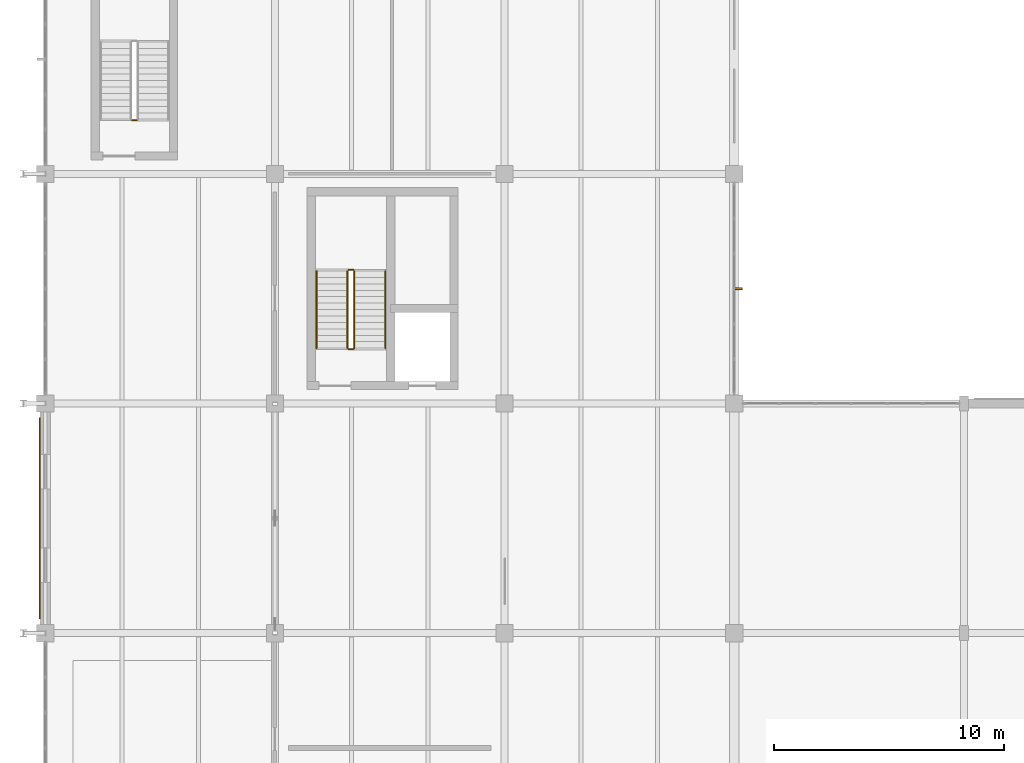
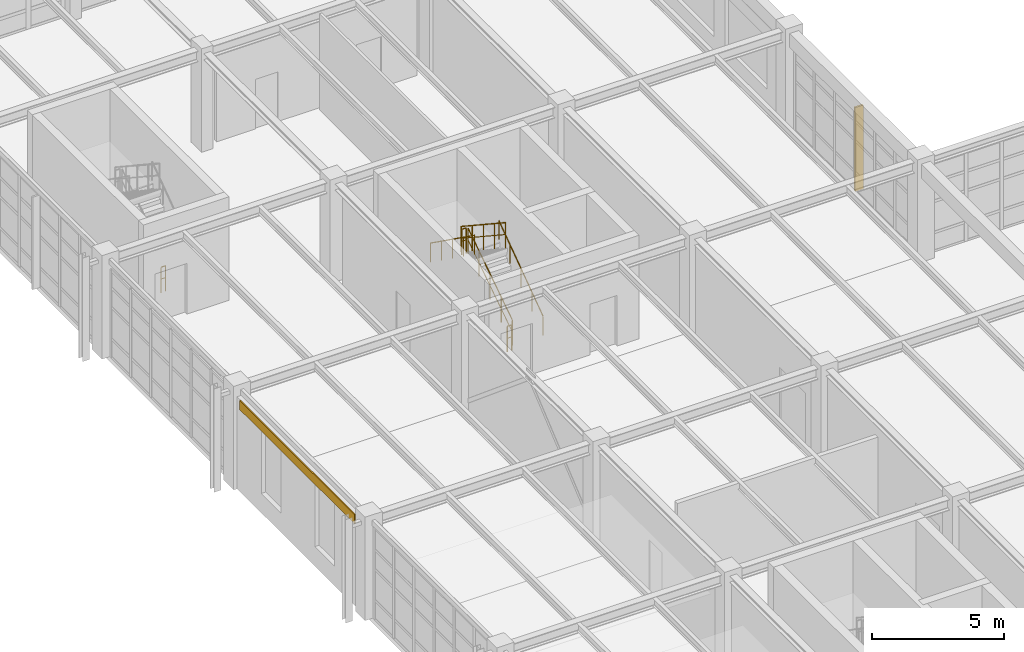
# One storey, part 127 of 139: 7 railings, 1 covering, 1 shading device.
"""IFC4 building model written with IfcOpenShell, lengths in metres."""

from ifc_helpers import new_model, si_unit, direction, frame, origin, origin_2d, place, context, subcontext, project, spatial, polyline, rectangle, circle, outline, extrude, material, layer, layer_set, type_object, element, save


model = new_model("IFC4")

# Units and contexts
model_context = context("Model", 3, precision=1e-05, world=origin(), true_north=direction((0.0, 1.0)))
body_context = subcontext(model_context, "Body", "Model", "MODEL_VIEW")
ifc_project = project(units=[si_unit("LENGTHUNIT", "METRE"), si_unit("AREAUNIT", "SQUARE_METRE"), si_unit("VOLUMEUNIT", "CUBIC_METRE"), si_unit("PLANEANGLEUNIT", "RADIAN"), si_unit("MASSUNIT", "GRAM", prefix="KILO"), si_unit("THERMODYNAMICTEMPERATUREUNIT", "KELVIN"), si_unit("POWERUNIT", "WATT")], contexts=[model_context])

# Site, building, storey
site_placement = place(None, origin())
site = spatial("IfcSite", under=ifc_project, at=site_placement, CompositionType="ELEMENT")
building_placement = place(site_placement, origin())
building = spatial("IfcBuilding", under=site, at=building_placement, Name="Korenveer Ferry Terminal", CompositionType="ELEMENT")
storey_placement = place(building_placement, frame((0.0, 0.0, 5.39990234375)))
storey = spatial("IfcBuildingStorey", under=building, at=storey_placement, Name="L01", CompositionType="ELEMENT", Elevation=5.39990234375)

# Covering
ifc_material_1 = material(Name="Carved Belgian bluestone spandrel cladding", Category="masonry")
ifc_layer = layer(ifc_material_1, 0.050048828125)
ifc_layer_set = layer_set([ifc_layer], Name="Carved Belgian bluestone spandrel cladding")
covering_type = type_object("IfcCoveringType", Name="ENV-COV-STONE", PredefinedType="CLADDING", material=ifc_layer_set)
covering_placement = place(storey_placement, frame((0.0, 0.0, 3.85009765625)))
element("IfcCovering", 1, at=covering_placement, inside=storey, type_object=covering_type, Name="Belgian bluestone spandrel band 17", PredefinedType="CLADDING", context=body_context, shape_type="SweptSolid", body=[
    extrude(outline(polyline([(-0.264892578125, 40.625), (-0.215087890625, 40.625), (-0.215087890625, 49.375), (-0.264892578125, 49.375), (-0.264892578125, 40.625)])), origin(), (0.0, 0.0, 1.0), 0.419921875),
])

# Shading device
ifc_material_2 = material(Name="Anodised bronze aluminium solar fin", Category="aluminium")
shading_device_type = type_object("IfcShadingDeviceType", Name="ENV-SHD-FIN", PredefinedType="JALOUSIE", material=ifc_material_2)
shading_device_placement = place(storey_placement, frame((30.159912109375, 55.0, -0.02001953125), z_axis=(0.0, 0.0, 1.0), x_axis=(1.0, 0.0, 0.0)))
element("IfcShadingDevice", 2, at=shading_device_placement, inside=storey, type_object=shading_device_type, Name="Gothic solar fin 28", PredefinedType="JALOUSIE", context=body_context, shape_type="SweptSolid", body=[
    extrude(rectangle(XDim=0.360107421875, YDim=0.080078125, at=origin_2d()), origin(), (0.0, 0.0, 1.0), 3.889892578125),
])

# Railings
ifc_material_3 = material(Name="Brushed stainless steel handrail", Category="steel")
railing_type_1 = type_object("IfcRailingType", Name="INT-RL-HND90", PredefinedType="HANDRAIL", material=ifc_material_3)
railing_1_placement = place(storey_placement, frame((14.81005859375, 52.409912109375, 0.184814453125)))
element("IfcRailing", 3, at=railing_1_placement, inside=storey, type_object=railing_type_1, Name="L01 ST02 stair handrail 1", PredefinedType="HANDRAIL", context=body_context, shape_type="SweptSolid", body=[
    extrude(circle(Radius=0.02392578125, at=origin_2d()), frame((0.0, 0.0, 0.8759765625), z_axis=(0.0, 0.813753445783, 0.581210228297), x_axis=(-1.0, 0.0, 0.0)), (0.0, 0.0, 1.0), 4.129150390625),
    extrude(circle(Radius=0.02099609375, at=origin_2d()), origin(), (0.0, 0.0, 1.0), 0.851806640625),
    extrude(circle(Radius=0.02099609375, at=origin_2d()), frame((0.0, 0.840087890625, 0.60009765625)), (0.0, 0.0, 1.0), 0.851806640625),
    extrude(circle(Radius=0.02099609375, at=origin_2d()), frame((0.0, 1.68017578125, 1.199951171875)), (0.0, 0.0, 1.0), 0.851806640625),
    extrude(circle(Radius=0.02099609375, at=origin_2d()), frame((0.0, 2.52001953125, 1.7998046875)), (0.0, 0.0, 1.0), 0.851806640625),
    extrude(circle(Radius=0.02099609375, at=origin_2d()), frame((0.0, 3.360107421875, 2.39990234375)), (0.0, 0.0, 1.0), 0.851806640625),
])
railing_2_placement = place(storey_placement, frame((11.81005859375, 55.77001953125, 2.584716796875)))
element("IfcRailing", 4, at=railing_2_placement, inside=storey, type_object=railing_type_1, Name="L01 ST02 stair handrail 2", PredefinedType="HANDRAIL", context=body_context, shape_type="SweptSolid", body=[
    extrude(circle(Radius=0.02392578125, at=origin_2d()), frame((0.0, 0.0, 0.8759765625), z_axis=(0.0, -0.813753445783, 0.581210228297), x_axis=(1.0, 0.0, 0.0)), (0.0, 0.0, 1.0), 4.129150390625),
    extrude(circle(Radius=0.02099609375, at=origin_2d()), origin(), (0.0, 0.0, 1.0), 0.851806640625),
    extrude(circle(Radius=0.02099609375, at=origin_2d()), frame((0.0, -0.840087890625, 0.60009765625)), (0.0, 0.0, 1.0), 0.851806640625),
    extrude(circle(Radius=0.02099609375, at=origin_2d()), frame((0.0, -1.68017578125, 1.199951171875)), (0.0, 0.0, 1.0), 0.851806640625),
    extrude(circle(Radius=0.02099609375, at=origin_2d()), frame((0.0, -2.52001953125, 1.7998046875)), (0.0, 0.0, 1.0), 0.851806640625),
    extrude(circle(Radius=0.02099609375, at=origin_2d()), frame((0.0, -3.360107421875, 2.39990234375)), (0.0, 0.0, 1.0), 0.851806640625),
])
ifc_material_4 = material(Name="Painted steel stair guard", Category="steel")
railing_type_2 = type_object("IfcRailingType", Name="INT-RL-STGRD", PredefinedType="GUARDRAIL", material=ifc_material_4)
railing_3_placement = place(storey_placement, frame((13.4599609375, 52.409912109375, 0.184814453125)))
element("IfcRailing", 5, at=railing_3_placement, inside=storey, type_object=railing_type_2, Name="L01 ST02 stair guard 1", PredefinedType="GUARDRAIL", context=body_context, shape_type="SweptSolid", body=[
    extrude(circle(Radius=0.02392578125, at=origin_2d()), frame((0.0, 0.0, 1.17578125), z_axis=(0.0, 0.834876476806, 0.550437342915), x_axis=(-1.0, 0.0, 0.0)), (0.0, 0.0, 1.0), 4.024658203125),
    extrude(circle(Radius=0.01806640625, at=origin_2d()), frame((0.0, 0.0, 0.6240234375), z_axis=(0.0, 0.834876476806, 0.550437342915), x_axis=(-1.0, 0.0, 0.0)), (0.0, 0.0, 1.0), 4.024658203125),
    extrude(circle(Radius=0.02099609375, at=origin_2d()), origin(), (0.0, 0.0, 1.0), 1.15185546875),
    extrude(circle(Radius=0.02099609375, at=origin_2d()), frame((0.0, 0.840087890625, 0.5537109375)), (0.0, 0.0, 1.0), 1.15185546875),
    extrude(circle(Radius=0.02099609375, at=origin_2d()), frame((0.0, 1.68017578125, 1.107666015625)), (0.0, 0.0, 1.0), 1.15185546875),
    extrude(circle(Radius=0.02099609375, at=origin_2d()), frame((0.0, 2.52001953125, 1.66162109375)), (0.0, 0.0, 1.0), 1.15185546875),
    extrude(circle(Radius=0.02099609375, at=origin_2d()), frame((0.0, 3.360107421875, 2.21533203125)), (0.0, 0.0, 1.0), 1.15185546875),
])
railing_4_placement = place(storey_placement, frame((13.409912109375, 55.820068359375, 2.400146484375)))
element("IfcRailing", 6, at=railing_4_placement, inside=storey, type_object=railing_type_2, Name="L01 ST02 stair guard 2", PredefinedType="GUARDRAIL", context=body_context, shape_type="SweptSolid", body=[
    extrude(circle(Radius=0.02392578125, at=origin_2d()), frame((0.0, 0.0, 1.17578125), z_axis=(-1.0, 0.0, 0.0), x_axis=(0.0, -1.0, 0.0)), (0.0, 0.0, 1.0), 0.199951171875),
    extrude(circle(Radius=0.01806640625, at=origin_2d()), frame((0.0, 0.0, 0.6240234375), z_axis=(-1.0, 0.0, 0.0), x_axis=(0.0, -1.0, 0.0)), (0.0, 0.0, 1.0), 0.199951171875),
    extrude(circle(Radius=0.02099609375, at=origin_2d()), origin(), (0.0, 0.0, 1.0), 1.15185546875),
    extrude(circle(Radius=0.02099609375, at=origin_2d()), frame((-0.199951171875, 0.0, 0.0)), (0.0, 0.0, 1.0), 1.15185546875),
])
railing_5_placement = place(storey_placement, frame((13.159912109375, 55.77001953125, 2.584716796875)))
element("IfcRailing", 7, at=railing_5_placement, inside=storey, type_object=railing_type_2, Name="L01 ST02 stair guard 3", PredefinedType="GUARDRAIL", context=body_context, shape_type="SweptSolid", body=[
    extrude(circle(Radius=0.02392578125, at=origin_2d()), frame((0.0, 0.0, 1.17578125), z_axis=(0.0, -0.834876476806, 0.550437342915), x_axis=(1.0, 0.0, 0.0)), (0.0, 0.0, 1.0), 4.024658203125),
    extrude(circle(Radius=0.01806640625, at=origin_2d()), frame((0.0, 0.0, 0.6240234375), z_axis=(0.0, -0.834876476806, 0.550437342915), x_axis=(1.0, 0.0, 0.0)), (0.0, 0.0, 1.0), 4.024658203125),
    extrude(circle(Radius=0.02099609375, at=origin_2d()), origin(), (0.0, 0.0, 1.0), 1.15185546875),
    extrude(circle(Radius=0.02099609375, at=origin_2d()), frame((0.0, -0.840087890625, 0.5537109375)), (0.0, 0.0, 1.0), 1.15185546875),
    extrude(circle(Radius=0.02099609375, at=origin_2d()), frame((0.0, -1.68017578125, 1.107666015625)), (0.0, 0.0, 1.0), 1.15185546875),
    extrude(circle(Radius=0.02099609375, at=origin_2d()), frame((0.0, -2.52001953125, 1.66162109375)), (0.0, 0.0, 1.0), 1.15185546875),
    extrude(circle(Radius=0.02099609375, at=origin_2d()), frame((0.0, -3.360107421875, 2.21533203125)), (0.0, 0.0, 1.0), 1.15185546875),
])
for number, where, name in (
    (8, (13.409912109375, 52.360107421875, 0.0), "L01 ST02 stair guard 4"),
    (9, (3.97998046875, 62.330078125, 0.0), "L01 ST11 stair guard 4"),
):
    element("IfcRailing", number, at=place(storey_placement, frame(where)), inside=storey, type_object=railing_type_2, Name=name, PredefinedType="GUARDRAIL", context=body_context, shape_type="SweptSolid", body=[
        extrude(circle(Radius=0.02392578125, at=origin_2d()), frame((0.0, 0.0, 1.17578125), z_axis=(-1.0, 0.0, 0.0), x_axis=(0.0, -1.0, 0.0)), (0.0, 0.0, 1.0), 0.199951171875),
        extrude(circle(Radius=0.01806640625, at=origin_2d()), frame((0.0, 0.0, 0.6240234375), z_axis=(-1.0, 0.0, 0.0), x_axis=(0.0, -1.0, 0.0)), (0.0, 0.0, 1.0), 0.199951171875),
        extrude(circle(Radius=0.02099609375, at=origin_2d()), origin(), (0.0, 0.0, 1.0), 1.15185546875),
        extrude(circle(Radius=0.02099609375, at=origin_2d()), frame((-0.199951171875, 0.0, 0.0)), (0.0, 0.0, 1.0), 1.15185546875),
    ])

save(model, "model.ifc")
